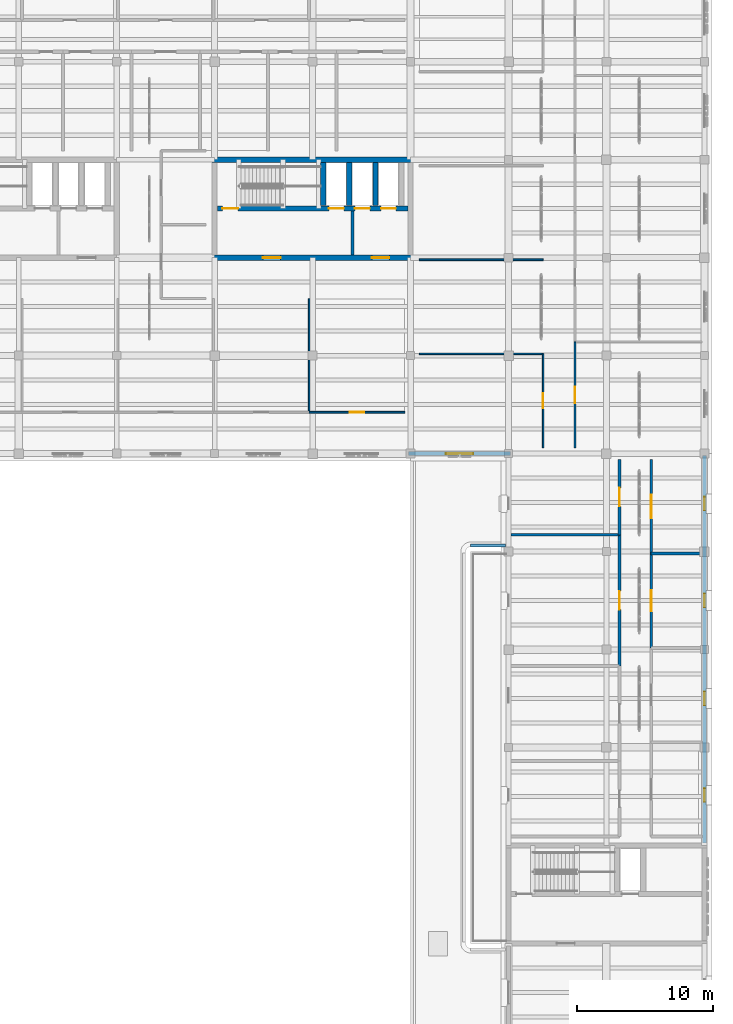
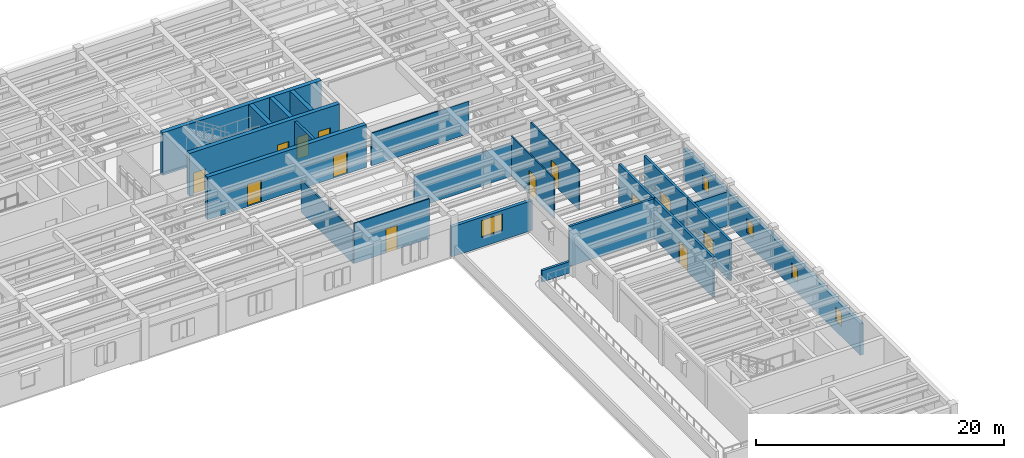
# One storey, part 28 of 40: 22 walls, 13 doors, 5 windows, 18 openings.
"""IFC4 building model written with IfcOpenShell, lengths in metres."""

from ifc_helpers import new_model, si_unit, direction, frame, frame_2d, origin, place, context, subcontext, project, spatial, rectangle, extrude, material, layer, layer_set, type_object, element, fill, save


model = new_model("IFC4")

# Units and contexts
model_context = context("Model", 3, precision=1e-05, world=origin(), true_north=direction((0.0, 1.0)))
body_context = subcontext(model_context, "Body", "Model", "MODEL_VIEW")
ifc_project = project(units=[si_unit("LENGTHUNIT", "METRE"), si_unit("AREAUNIT", "SQUARE_METRE"), si_unit("VOLUMEUNIT", "CUBIC_METRE"), si_unit("PLANEANGLEUNIT", "RADIAN"), si_unit("MASSUNIT", "GRAM", prefix="KILO")], contexts=[model_context])

# Site, building, storey
site_placement = place(None, origin())
site = spatial("IfcSite", under=ifc_project, at=site_placement, CompositionType="ELEMENT")
building_placement = place(site_placement, origin())
building = spatial("IfcBuilding", under=site, at=building_placement, Name="Mithqara Police Headquarters", CompositionType="ELEMENT")
storey_placement = place(building_placement, frame((0.0, 0.0, 13.800048828125)))
storey = spatial("IfcBuildingStorey", under=building, at=storey_placement, Name="L03", CompositionType="ELEMENT", Elevation=13.800048828125)

# Wall
ifc_material_1 = material(Name="Concrete C40/50", Category="concrete")
ifc_layer_1 = layer(ifc_material_1, 0.239990234375, Name="Concrete C40/50")
ifc_layer_set_1 = layer_set([ifc_layer_1], Name="Concrete C40/50")
wall_type_1 = type_object("IfcWallType", Name="CORE LOBBY WALL 240", PredefinedType="SOLIDWALL", material=ifc_layer_set_1)
wall_1_placement = place(storey_placement, frame((140.330078125, 93.18994140625, 0.0), z_axis=(0.0, 0.0, 1.0), x_axis=(0.0, 1.0, 0.0)))
element("IfcWall", 1, at=wall_1_placement, inside=storey, type_object=wall_type_1, Name="Core C2 Command East Firefighting Lobby Separation Wall L03", PredefinedType="SOLIDWALL", context=body_context, shape_type="SweptSolid", body=[
    extrude(rectangle(XDim=3.239990234375, YDim=0.239990234375, at=frame_2d((1.6201171875, 0.0))), origin(), (0.0, 0.0, 1.0), 3.909912109375),
])

# Wall, opening, window
ifc_material_2 = material(Name="Ochre masonry cavity wall, 35 MPa", Category="masonry")
ifc_layer_2 = layer(ifc_material_2, 0.300048828125, Name="Ochre masonry cavity wall, 35 MPa")
ifc_layer_set_2 = layer_set([ifc_layer_2], Name="Ochre masonry cavity wall, 35 MPa")
wall_type_2 = type_object("IfcWallType", Name="EXT WALL OCHRE BRICK300", PredefinedType="SOLIDWALL", material=ifc_layer_set_2)
wall_2_placement = place(storey_placement, frame((144.449951171875, 78.60009765625, 0.0), z_axis=(0.0, 0.0, 1.0), x_axis=(1.0, 0.0, 0.0)))
wall_2 = element("IfcWall", 2, at=wall_2_placement, inside=storey, type_object=wall_type_2, Name="L03 Exterior Wall 7.1", PredefinedType="SOLIDWALL", context=body_context, shape_type="SweptSolid", body=[
    extrude(rectangle(XDim=7.5, YDim=0.300048828125, at=frame_2d((3.75, 0.0))), origin(), (0.0, 0.0, 1.0), 2.93994140625),
])
opening_1_placement = place(wall_2_placement, frame((2.75, 0.0, 0.949951171875)))
opening_1 = element("IfcOpeningElement", 3, at=opening_1_placement, cuts=wall_2, Name="Opening W-37", PredefinedType="OPENING", context=body_context, shape_type="SweptSolid", body=[
    extrude(rectangle(XDim=2.0, YDim=1.64990234375, at=frame_2d((1.0, 0.824951171875))), frame((0.0, 0.16015625, 0.0), z_axis=(0.0, -1.0, 0.0), x_axis=(1.0, 0.0, 0.0)), (0.0, 0.0, 1.0), 0.320068359375),
])
ifc_material_3 = material(Name="Spectrally selective double low-e glass", Category="glass")
window_type_1 = type_object("IfcWindowType", Name="WINDOW 2000X1650", PartitioningType="DOUBLE_PANEL_VERTICAL", PredefinedType="WINDOW", material=ifc_material_3)
window_1_placement = place(opening_1_placement, origin())
window_1 = element("IfcWindow", 4, at=window_1_placement, inside=storey, type_object=window_type_1, Name="L03 Command Block Screened Window 7.1", OverallHeight=1.64990234375, OverallWidth=2.0, PartitioningType="SINGLE_PANEL", PredefinedType="WINDOW", context=body_context, shape_type="SweptSolid", body=[
    extrude(rectangle(XDim=2.0, YDim=1.64990234375, at=frame_2d((1.0, 0.824951171875))), frame((0.0, 0.030029296875, 0.0), z_axis=(0.0, -1.0, 0.0), x_axis=(1.0, 0.0, 0.0)), (0.0, 0.0, 1.0), 0.06005859375),
])
fill(opening_1, window_1)

# Wall, openings, windows
wall_3_placement = place(storey_placement, frame((166.199951171875, 49.989990234375, 0.0), z_axis=(0.0, 0.0, 1.0), x_axis=(0.0, 1.0, 0.0)))
wall_3 = element("IfcWall", 5, at=wall_3_placement, inside=storey, type_object=wall_type_2, Name="L03 Exterior Wall 10.2", PredefinedType="SOLIDWALL", context=body_context, shape_type="SweptSolid", body=[
    extrude(rectangle(XDim=28.4599609375, YDim=0.300048828125, at=frame_2d((14.22998046875, 0.0))), origin(), (0.0, 0.0, 1.0), 3.139892578125),
])
opening_2_placement = place(wall_3_placement, frame((3.0048828125, 0.0, 1.0)))
opening_2 = element("IfcOpeningElement", 6, at=opening_2_placement, cuts=wall_3, Name="Opening W-06", PredefinedType="OPENING", context=body_context, shape_type="SweptSolid", body=[
    extrude(rectangle(XDim=1.0, YDim=1.39990234375, at=frame_2d((0.5, 0.699951171875))), frame((0.0, 0.16015625, 0.0), z_axis=(0.0, -1.0, 0.0), x_axis=(1.0, 0.0, 0.0)), (0.0, 0.0, 1.0), 0.320068359375),
])
opening_3_placement = place(wall_3_placement, frame((10.110107421875, 0.0, 1.0)))
opening_3 = element("IfcOpeningElement", 7, at=opening_3_placement, cuts=wall_3, Name="Opening W-06", PredefinedType="OPENING", context=body_context, shape_type="SweptSolid", body=[
    extrude(rectangle(XDim=1.0, YDim=1.39990234375, at=frame_2d((0.5, 0.699951171875))), frame((0.0, 0.16015625, 0.0), z_axis=(0.0, -1.0, 0.0), x_axis=(1.0, 0.0, 0.0)), (0.0, 0.0, 1.0), 0.320068359375),
])
opening_4_placement = place(wall_3_placement, frame((17.31005859375, 0.0, 1.0)))
opening_4 = element("IfcOpeningElement", 8, at=opening_4_placement, cuts=wall_3, Name="Opening W-06", PredefinedType="OPENING", context=body_context, shape_type="SweptSolid", body=[
    extrude(rectangle(XDim=1.0, YDim=1.39990234375, at=frame_2d((0.5, 0.699951171875))), frame((0.0, 0.16015625, 0.0), z_axis=(0.0, -1.0, 0.0), x_axis=(1.0, 0.0, 0.0)), (0.0, 0.0, 1.0), 0.320068359375),
])
opening_5_placement = place(wall_3_placement, frame((24.43505859375, 0.0, 1.0)))
opening_5 = element("IfcOpeningElement", 9, at=opening_5_placement, cuts=wall_3, Name="Opening W-06", PredefinedType="OPENING", context=body_context, shape_type="SweptSolid", body=[
    extrude(rectangle(XDim=1.0, YDim=1.39990234375, at=frame_2d((0.5, 0.699951171875))), frame((0.0, 0.16015625, 0.0), z_axis=(0.0, -1.0, 0.0), x_axis=(1.0, 0.0, 0.0)), (0.0, 0.0, 1.0), 0.320068359375),
])
window_type_2 = type_object("IfcWindowType", Name="WINDOW 1000X1400", PartitioningType="SINGLE_PANEL", PredefinedType="WINDOW", material=ifc_material_3)
window_2_placement = place(opening_2_placement, origin())
window_2 = element("IfcWindow", 10, at=window_2_placement, inside=storey, type_object=window_type_2, Name="L03 Deep-Set Punched Window 10.1", OverallHeight=1.39990234375, OverallWidth=1.0, PartitioningType="SINGLE_PANEL", PredefinedType="WINDOW", context=body_context, shape_type="SweptSolid", body=[
    extrude(rectangle(XDim=1.0, YDim=1.39990234375, at=frame_2d((0.5, 0.699951171875))), frame((0.0, 0.030029296875, 0.0), z_axis=(0.0, -1.0, 0.0), x_axis=(1.0, 0.0, 0.0)), (0.0, 0.0, 1.0), 0.06005859375),
])
fill(opening_2, window_2)
window_3_placement = place(opening_3_placement, origin())
window_3 = element("IfcWindow", 11, at=window_3_placement, inside=storey, type_object=window_type_2, Name="L03 Deep-Set Punched Window 10.2", OverallHeight=1.39990234375, OverallWidth=1.0, PartitioningType="SINGLE_PANEL", PredefinedType="WINDOW", context=body_context, shape_type="SweptSolid", body=[
    extrude(rectangle(XDim=1.0, YDim=1.39990234375, at=frame_2d((0.5, 0.699951171875))), frame((0.0, 0.030029296875, 0.0), z_axis=(0.0, -1.0, 0.0), x_axis=(1.0, 0.0, 0.0)), (0.0, 0.0, 1.0), 0.06005859375),
])
fill(opening_3, window_3)
window_4_placement = place(opening_4_placement, origin())
window_4 = element("IfcWindow", 12, at=window_4_placement, inside=storey, type_object=window_type_2, Name="L03 Deep-Set Punched Window 10.3", OverallHeight=1.39990234375, OverallWidth=1.0, PartitioningType="SINGLE_PANEL", PredefinedType="WINDOW", context=body_context, shape_type="SweptSolid", body=[
    extrude(rectangle(XDim=1.0, YDim=1.39990234375, at=frame_2d((0.5, 0.699951171875))), frame((0.0, 0.030029296875, 0.0), z_axis=(0.0, -1.0, 0.0), x_axis=(1.0, 0.0, 0.0)), (0.0, 0.0, 1.0), 0.06005859375),
])
fill(opening_4, window_4)
window_5_placement = place(opening_5_placement, origin())
window_5 = element("IfcWindow", 13, at=window_5_placement, inside=storey, type_object=window_type_2, Name="L03 Deep-Set Punched Window 10.4", OverallHeight=1.39990234375, OverallWidth=1.0, PartitioningType="SINGLE_PANEL", PredefinedType="WINDOW", context=body_context, shape_type="SweptSolid", body=[
    extrude(rectangle(XDim=1.0, YDim=1.39990234375, at=frame_2d((0.5, 0.699951171875))), frame((0.0, 0.030029296875, 0.0), z_axis=(0.0, -1.0, 0.0), x_axis=(1.0, 0.0, 0.0)), (0.0, 0.0, 1.0), 0.06005859375),
])
fill(opening_5, window_5)

# Walls
ifc_material_4 = material(Name="Limestone ashlar masonry, 45 MPa", Category="masonry")
ifc_layer_3 = layer(ifc_material_4, 0.219970703125, Name="Limestone ashlar masonry, 45 MPa")
ifc_layer_set_3 = layer_set([ifc_layer_3], Name="Limestone ashlar masonry, 45 MPa")
wall_type_3 = type_object("IfcWallType", Name="PARAPET WALL 220", PredefinedType="PARAPET", material=ifc_layer_set_3)
wall_4_placement = place(storey_placement, frame((151.580078125, 71.860107421875, 0.0), z_axis=(0.0, 0.0, 1.0), x_axis=(-1.0, 0.0, 0.0)))
element("IfcWall", 14, at=wall_4_placement, inside=storey, type_object=wall_type_3, Name="L03 Limestone Roof Parapet ROOF-L02-00-157", PredefinedType="PARAPET", context=body_context, shape_type="SweptSolid", body=[
    extrude(rectangle(XDim=2.580078125, YDim=0.219970703125, at=frame_2d((1.2900390625, 0.0))), origin(), (0.0, 0.0, 1.0), 1.119873046875),
])
ifc_material_5 = material(Name="Gypsum acoustic stud partition", Category="gypsum")
ifc_layer_4 = layer(ifc_material_5, 0.1201171875, Name="Gypsum acoustic stud partition")
ifc_layer_set_4 = layer_set([ifc_layer_4], Name="Gypsum acoustic stud partition")
wall_type_4 = type_object("IfcWallType", Name="PART WALL 120", PredefinedType="PARTITIONING", material=ifc_layer_set_4)
wall_5_placement = place(storey_placement, frame((137.14794921875, 81.639892578125, 0.0), z_axis=(0.0, 0.0, 1.0), x_axis=(0.0, 1.0, 0.0)))
element("IfcWall", 15, at=wall_5_placement, inside=storey, type_object=wall_type_4, Name="L03 Room Partition Criminal Records Verification Room", PredefinedType="PARTITIONING", context=body_context, shape_type="SweptSolid", body=[
    extrude(rectangle(XDim=8.360107421875, YDim=0.1201171875, at=frame_2d((4.18017578125, 0.0))), origin(), (0.0, 0.0, 1.0), 3.18994140625),
])

# Wall, opening, door
wall_6_placement = place(storey_placement, frame((137.14794921875, 81.639892578125, 0.0), z_axis=(0.0, 0.0, 1.0), x_axis=(1.0, 0.0, 0.0)))
wall_6 = element("IfcWall", 16, at=wall_6_placement, inside=storey, type_object=wall_type_4, Name="L03 Corridor Wall Warrants and Records Office", PredefinedType="PARTITIONING", context=body_context, shape_type="SweptSolid", body=[
    extrude(rectangle(XDim=7.031982421875, YDim=0.1201171875, at=frame_2d((3.51611328125, 0.0))), origin(), (0.0, 0.0, 1.0), 3.93994140625),
])
opening_6_placement = place(wall_6_placement, frame((2.99609375, 0.0, 0.0)))
opening_6 = element("IfcOpeningElement", 17, at=opening_6_placement, cuts=wall_6, Name="Opening D-09", PredefinedType="OPENING", context=body_context, shape_type="SweptSolid", body=[
    extrude(rectangle(XDim=1.0400390625, YDim=2.35009765625, at=frame_2d((0.52001953125, 1.175048828125))), frame((0.0, 0.070068359375, 0.0), z_axis=(0.0, -1.0, 0.0), x_axis=(1.0, 0.0, 0.0)), (0.0, 0.0, 1.0), 0.14013671875),
])
ifc_material_6 = material(Name="Acoustic solid-core timber leaf", Category="wood")
door_type_1 = type_object("IfcDoorType", Name="INT DOOR 1040X2350", OperationType="NOTDEFINED", PredefinedType="DOOR", material=ifc_material_6)
door_1_placement = place(opening_6_placement, origin())
door_1 = element("IfcDoor", 18, at=door_1_placement, inside=storey, type_object=door_type_1, Name="Warrants and Records Office Entry Door", OperationType="SINGLE_SWING_RIGHT", OverallHeight=2.35009765625, OverallWidth=1.0400390625, PredefinedType="DOOR", context=body_context, shape_type="SweptSolid", body=[
    extrude(rectangle(XDim=1.0400390625, YDim=2.35009765625, at=frame_2d((0.52001953125, 1.175048828125))), frame((0.0, 0.02490234375, 0.0), z_axis=(0.0, -1.0, 0.0), x_axis=(1.0, 0.0, 0.0)), (0.0, 0.0, 1.0), 0.050048828125),
])
fill(opening_6, door_1)

wall_7_placement = place(storey_placement, frame((154.344970703125, 79.02001953125, 0.0), z_axis=(0.0, 0.0, 1.0), x_axis=(0.0, 1.0, 0.0)))
wall_7 = element("IfcWall", 19, at=wall_7_placement, inside=storey, type_object=wall_type_4, Name="L03 Corridor Wall Academy Instruction Office", PredefinedType="PARTITIONING", context=body_context, shape_type="SweptSolid", body=[
    extrude(rectangle(XDim=6.911865234375, YDim=0.1201171875, at=frame_2d((3.4560546875, 0.0))), origin(), (0.0, 0.0, 1.0), 3.93994140625),
])
opening_7_placement = place(wall_7_placement, frame((2.906005859375, 0.0, 0.0)))
opening_7 = element("IfcOpeningElement", 20, at=opening_7_placement, cuts=wall_7, Name="Opening D-12", PredefinedType="OPENING", context=body_context, shape_type="SweptSolid", body=[
    extrude(rectangle(XDim=1.10009765625, YDim=2.35009765625, at=frame_2d((0.550048828125, 1.175048828125))), frame((0.0, 0.070068359375, 0.0), z_axis=(0.0, -1.0, 0.0), x_axis=(1.0, 0.0, 0.0)), (0.0, 0.0, 1.0), 0.14013671875),
])
door_type_2 = type_object("IfcDoorType", Name="INT DOOR 1100X2350", OperationType="NOTDEFINED", PredefinedType="DOOR", material=ifc_material_6)
door_2_placement = place(opening_7_placement, frame((1.10009765625, 0.0, 0.0), z_axis=(0.0, 0.0, 1.0), x_axis=(-1.0, 0.0, 0.0)))
door_2 = element("IfcDoor", 21, at=door_2_placement, inside=storey, type_object=door_type_2, Name="Academy Instruction Office Entry Door", OperationType="SINGLE_SWING_LEFT", OverallHeight=2.35009765625, OverallWidth=1.10009765625, PredefinedType="DOOR", context=body_context, shape_type="SweptSolid", body=[
    extrude(rectangle(XDim=1.10009765625, YDim=2.35009765625, at=frame_2d((0.550048828125, 1.175048828125))), frame((0.0, 0.02490234375, 0.0), z_axis=(0.0, -1.0, 0.0), x_axis=(1.0, 0.0, 0.0)), (0.0, 0.0, 1.0), 0.050048828125),
])
fill(opening_7, door_2)

# Walls
wall_8_placement = place(storey_placement, frame((145.25, 85.931884765625, 0.0), z_axis=(0.0, 0.0, 1.0), x_axis=(1.0, 0.0, 0.0)))
element("IfcWall", 22, at=wall_8_placement, inside=storey, type_object=wall_type_4, Name="L03 Room Partition Academy Instruction Office", PredefinedType="PARTITIONING", context=body_context, shape_type="SweptSolid", body=[
    extrude(rectangle(XDim=9.094970703125, YDim=0.1201171875, at=frame_2d((4.54736328125, 0.0))), origin(), (0.0, 0.0, 1.0), 3.2900390625),
])
wall_9_placement = place(storey_placement, frame((145.25, 92.843994140625, 0.0), z_axis=(0.0, 0.0, 1.0), x_axis=(1.0, 0.0, 0.0)))
element("IfcWall", 23, at=wall_9_placement, inside=storey, type_object=wall_type_4, Name="L03 Room Partition Examinations Room", PredefinedType="PARTITIONING", context=body_context, shape_type="SweptSolid", body=[
    extrude(rectangle(XDim=9.094970703125, YDim=0.1201171875, at=frame_2d((4.54736328125, 0.0))), origin(), (0.0, 0.0, 1.0), 3.18994140625),
])

# Wall, opening, door
wall_10_placement = place(storey_placement, frame((156.68505859375, 79.02001953125, 0.0), z_axis=(0.0, 0.0, 1.0), x_axis=(0.0, 1.0, 0.0)))
wall_10 = element("IfcWall", 24, at=wall_10_placement, inside=storey, type_object=wall_type_4, Name="L03 Corridor Wall Academy Instruction Office", PredefinedType="PARTITIONING", context=body_context, shape_type="SweptSolid", body=[
    extrude(rectangle(XDim=7.7900390625, YDim=0.1201171875, at=frame_2d((3.89501953125, 0.0))), origin(), (0.0, 0.0, 1.0), 3.93994140625),
])
opening_8_placement = place(wall_10_placement, frame((3.284912109375, 0.0, 0.0)))
opening_8 = element("IfcOpeningElement", 25, at=opening_8_placement, cuts=wall_10, Name="Opening D-14", PredefinedType="OPENING", context=body_context, shape_type="SweptSolid", body=[
    extrude(rectangle(XDim=1.219970703125, YDim=2.219970703125, at=frame_2d((0.60986328125, 1.10986328125))), frame((0.0, 0.070068359375, 0.0), z_axis=(0.0, -1.0, 0.0), x_axis=(1.0, 0.0, 0.0)), (0.0, 0.0, 1.0), 0.14013671875),
])
door_type_3 = type_object("IfcDoorType", Name="INT DOOR 1220X2220", OperationType="NOTDEFINED", PredefinedType="DOOR", material=ifc_material_6)
door_3_placement = place(opening_8_placement, origin())
door_3 = element("IfcDoor", 26, at=door_3_placement, inside=storey, type_object=door_type_3, Name="Academy Instruction Office Entry Door", OperationType="SINGLE_SWING_LEFT", OverallHeight=2.219970703125, OverallWidth=1.219970703125, PredefinedType="DOOR", context=body_context, shape_type="SweptSolid", body=[
    extrude(rectangle(XDim=1.219970703125, YDim=2.219970703125, at=frame_2d((0.60986328125, 1.10986328125))), frame((0.0, 0.02490234375, 0.0), z_axis=(0.0, -1.0, 0.0), x_axis=(1.0, 0.0, 0.0)), (0.0, 0.0, 1.0), 0.050048828125),
])
fill(opening_8, door_3)

ifc_layer_5 = layer(ifc_material_1, 0.2099609375, Name="Concrete C40/50")
ifc_layer_set_5 = layer_set([ifc_layer_5], Name="Concrete C40/50")
wall_type_5 = type_object("IfcWallType", Name="PART WALL 210", PredefinedType="PARTITIONING", material=ifc_layer_set_5)
wall_11_placement = place(storey_placement, frame((159.949951171875, 62.991943359375, 0.0), z_axis=(0.0, 0.0, 1.0), x_axis=(0.0, 1.0, 0.0)))
wall_11 = element("IfcWall", 27, at=wall_11_placement, inside=storey, type_object=wall_type_5, Name="L03 Corridor Wall Mobile Device Extraction Lab", PredefinedType="PARTITIONING", context=body_context, shape_type="SweptSolid", body=[
    extrude(rectangle(XDim=9.64208984375, YDim=0.2099609375, at=frame_2d((4.821044921875, 0.0))), origin(), (0.0, 0.0, 1.0), 3.93994140625),
])
opening_9_placement = place(wall_11_placement, frame((4.14111328125, 0.0, 0.0)))
opening_9 = element("IfcOpeningElement", 28, at=opening_9_placement, cuts=wall_11, Name="Opening D-17", PredefinedType="OPENING", context=body_context, shape_type="SweptSolid", body=[
    extrude(rectangle(XDim=1.360107421875, YDim=2.219970703125, at=frame_2d((0.68017578125, 1.10986328125))), frame((0.0, 0.114990234375, 0.0), z_axis=(0.0, -1.0, 0.0), x_axis=(1.0, 0.0, 0.0)), (0.0, 0.0, 1.0), 0.22998046875),
])
ifc_material_7 = material(Name="Bronze anodised aluminium 6063-T6", Category="aluminium")
door_type_4 = type_object("IfcDoorType", Name="INT DOOR 1360X2220", OperationType="NOTDEFINED", PredefinedType="DOOR", material=ifc_material_7)
door_4_placement = place(opening_9_placement, frame((1.360107421875, 0.0, 0.0), z_axis=(0.0, 0.0, 1.0), x_axis=(-1.0, 0.0, 0.0)))
door_4 = element("IfcDoor", 29, at=door_4_placement, inside=storey, type_object=door_type_4, Name="Mobile Device Extraction Lab Entry Door", OperationType="SINGLE_SWING_RIGHT", OverallHeight=2.219970703125, OverallWidth=1.360107421875, PredefinedType="DOOR", context=body_context, shape_type="SweptSolid", body=[
    extrude(rectangle(XDim=1.360107421875, YDim=2.219970703125, at=frame_2d((0.68017578125, 1.10986328125))), frame((0.0, 0.02490234375, 0.0), z_axis=(0.0, -1.0, 0.0), x_axis=(1.0, 0.0, 0.0)), (0.0, 0.0, 1.0), 0.050048828125),
])
fill(opening_9, door_4)

# Wall
wall_12_placement = place(storey_placement, frame((151.97998046875, 72.634033203125, 0.0), z_axis=(0.0, 0.0, 1.0), x_axis=(1.0, 0.0, 0.0)))
element("IfcWall", 30, at=wall_12_placement, inside=storey, type_object=wall_type_5, Name="L03 Room Partition Mobile Device Extraction Lab", PredefinedType="PARTITIONING", context=body_context, shape_type="SweptSolid", body=[
    extrude(rectangle(XDim=7.969970703125, YDim=0.2099609375, at=frame_2d((3.98486328125, 0.0))), origin(), (0.0, 0.0, 1.0), 3.93994140625),
])

# Wall, opening, door
wall_13_placement = place(storey_placement, frame((159.949951171875, 72.634033203125, 0.0), z_axis=(0.0, 0.0, 1.0), x_axis=(0.0, 1.0, 0.0)))
wall_13 = element("IfcWall", 31, at=wall_13_placement, inside=storey, type_object=wall_type_5, Name="L03 Corridor Wall Faraday Shielded Server Lab", PredefinedType="PARTITIONING", context=body_context, shape_type="SweptSolid", body=[
    extrude(rectangle(XDim=5.5458984375, YDim=0.2099609375, at=frame_2d((2.77294921875, 0.0))), origin(), (0.0, 0.0, 1.0), 3.93994140625),
])
opening_10_placement = place(wall_13_placement, frame((2.093017578125, 0.0, 0.0)))
opening_10 = element("IfcOpeningElement", 32, at=opening_10_placement, cuts=wall_13, Name="Opening D-18", PredefinedType="OPENING", context=body_context, shape_type="SweptSolid", body=[
    extrude(rectangle(XDim=1.360107421875, YDim=2.35009765625, at=frame_2d((0.68017578125, 1.175048828125))), frame((0.0, 0.114990234375, 0.0), z_axis=(0.0, -1.0, 0.0), x_axis=(1.0, 0.0, 0.0)), (0.0, 0.0, 1.0), 0.22998046875),
])
door_type_5 = type_object("IfcDoorType", Name="INT DOOR 1360X2350", OperationType="NOTDEFINED", PredefinedType="DOOR", material=ifc_material_7)
door_5_placement = place(opening_10_placement, frame((1.360107421875, 0.0, 0.0), z_axis=(0.0, 0.0, 1.0), x_axis=(-1.0, 0.0, 0.0)))
door_5 = element("IfcDoor", 33, at=door_5_placement, inside=storey, type_object=door_type_5, Name="Faraday Shielded Server Lab Entry Door", OperationType="SINGLE_SWING_LEFT", OverallHeight=2.35009765625, OverallWidth=1.360107421875, PredefinedType="DOOR", context=body_context, shape_type="SweptSolid", body=[
    extrude(rectangle(XDim=1.360107421875, YDim=2.35009765625, at=frame_2d((0.68017578125, 1.175048828125))), frame((0.0, 0.02490234375, 0.0), z_axis=(0.0, -1.0, 0.0), x_axis=(1.0, 0.0, 0.0)), (0.0, 0.0, 1.0), 0.050048828125),
])
fill(opening_10, door_5)

wall_14_placement = place(storey_placement, frame((162.2900390625, 64.31494140625, 0.0), z_axis=(0.0, 0.0, 1.0), x_axis=(0.0, 1.0, 0.0)))
wall_14 = element("IfcWall", 34, at=wall_14_placement, inside=storey, type_object=wall_type_5, Name="L03 Corridor Wall Mobile Device Extraction Lab", PredefinedType="PARTITIONING", context=body_context, shape_type="SweptSolid", body=[
    extrude(rectangle(XDim=6.93310546875, YDim=0.2099609375, at=frame_2d((3.466552734375, 0.0))), origin(), (0.0, 0.0, 1.0), 3.93994140625),
])
opening_11_placement = place(wall_14_placement, frame((2.70654296875, 0.0, 0.0)))
opening_11 = element("IfcOpeningElement", 35, at=opening_11_placement, cuts=wall_14, Name="Opening D-21", PredefinedType="OPENING", context=body_context, shape_type="SweptSolid", body=[
    extrude(rectangle(XDim=1.52001953125, YDim=2.35009765625, at=frame_2d((0.760009765625, 1.175048828125))), frame((0.0, 0.114990234375, 0.0), z_axis=(0.0, -1.0, 0.0), x_axis=(1.0, 0.0, 0.0)), (0.0, 0.0, 1.0), 0.22998046875),
])
door_type_6 = type_object("IfcDoorType", Name="INT DOOR 1520X2350", OperationType="NOTDEFINED", PredefinedType="DOOR", material=ifc_material_7)
door_6_placement = place(opening_11_placement, origin())
door_6 = element("IfcDoor", 36, at=door_6_placement, inside=storey, type_object=door_type_6, Name="Mobile Device Extraction Lab Entry Door", OperationType="DOUBLE_DOOR_SINGLE_SWING", OverallHeight=2.35009765625, OverallWidth=1.52001953125, PredefinedType="DOOR", context=body_context, shape_type="SweptSolid", body=[
    extrude(rectangle(XDim=1.52001953125, YDim=2.35009765625, at=frame_2d((0.760009765625, 1.175048828125))), frame((0.0, 0.02490234375, 0.0), z_axis=(0.0, -1.0, 0.0), x_axis=(1.0, 0.0, 0.0)), (0.0, 0.0, 1.0), 0.050048828125),
])
fill(opening_11, door_6)

# Wall
wall_15_placement = place(storey_placement, frame((162.2900390625, 71.248046875, 0.0), z_axis=(0.0, 0.0, 1.0), x_axis=(1.0, 0.0, 0.0)))
element("IfcWall", 37, at=wall_15_placement, inside=storey, type_object=wall_type_5, Name="L03 Room Partition Mobile Device Extraction Lab", PredefinedType="PARTITIONING", context=body_context, shape_type="SweptSolid", body=[
    extrude(rectangle(XDim=3.72998046875, YDim=0.2099609375, at=frame_2d((1.864990234375, 0.0))), origin(), (0.0, 0.0, 1.0), 3.33984375),
])

# Wall, opening, door
wall_16_placement = place(storey_placement, frame((162.2900390625, 71.248046875, 0.0), z_axis=(0.0, 0.0, 1.0), x_axis=(0.0, 1.0, 0.0)))
wall_16 = element("IfcWall", 38, at=wall_16_placement, inside=storey, type_object=wall_type_5, Name="L03 Corridor Wall Faraday Shielded Server Lab", PredefinedType="PARTITIONING", context=body_context, shape_type="SweptSolid", body=[
    extrude(rectangle(XDim=6.931884765625, YDim=0.2099609375, at=frame_2d((3.4658203125, 0.0))), origin(), (0.0, 0.0, 1.0), 3.93994140625),
])
opening_12_placement = place(wall_16_placement, frame((2.60595703125, 0.0, 0.0)))
opening_12 = element("IfcOpeningElement", 39, at=opening_12_placement, cuts=wall_16, Name="Opening D-22", PredefinedType="OPENING", context=body_context, shape_type="SweptSolid", body=[
    extrude(rectangle(XDim=1.719970703125, YDim=2.10009765625, at=frame_2d((0.85986328125, 1.050048828125))), frame((0.0, 0.114990234375, 0.0), z_axis=(0.0, -1.0, 0.0), x_axis=(1.0, 0.0, 0.0)), (0.0, 0.0, 1.0), 0.22998046875),
])
door_type_7 = type_object("IfcDoorType", Name="INT DOOR 1720X2100", OperationType="NOTDEFINED", PredefinedType="DOOR", material=ifc_material_7)
door_7_placement = place(opening_12_placement, origin())
door_7 = element("IfcDoor", 40, at=door_7_placement, inside=storey, type_object=door_type_7, Name="Faraday Shielded Server Lab Entry Door", OperationType="DOUBLE_DOOR_SINGLE_SWING", OverallHeight=2.10009765625, OverallWidth=1.719970703125, PredefinedType="DOOR", context=body_context, shape_type="SweptSolid", body=[
    extrude(rectangle(XDim=1.719970703125, YDim=2.10009765625, at=frame_2d((0.85986328125, 1.050048828125))), frame((0.0, 0.02490234375, 0.0), z_axis=(0.0, -1.0, 0.0), x_axis=(1.0, 0.0, 0.0)), (0.0, 0.0, 1.0), 0.050048828125),
])
fill(opening_12, door_7)

# Wall
ifc_material_8 = material(Name="Concrete C50/60", Category="concrete")
ifc_layer_6 = layer(ifc_material_8, 0.3798828125, Name="Concrete C50/60")
ifc_layer_set_6 = layer_set([ifc_layer_6], Name="Concrete C50/60")
wall_type_6 = type_object("IfcWallType", Name="SHEAR WALL 380", PredefinedType="SHEAR", material=ifc_layer_set_6)
wall_17_placement = place(storey_placement, frame((130.010009765625, 100.199951171875, 0.0), z_axis=(0.0, 0.0, 1.0), x_axis=(1.0, 0.0, 0.0)))
element("IfcWall", 41, at=wall_17_placement, inside=storey, type_object=wall_type_6, Name="Core C2 Command East Shear Wall N", PredefinedType="SHEAR", context=body_context, shape_type="SweptSolid", body=[
    extrude(rectangle(XDim=14.780029296875, YDim=0.3798828125, at=frame_2d((7.39013671875, 0.0))), origin(), (0.0, 0.0, 1.0), 4.199951171875),
])

# Wall, openings, doors
wall_18_placement = place(storey_placement, frame((130.010009765625, 93.0, 0.0), z_axis=(0.0, 0.0, 1.0), x_axis=(1.0, 0.0, 0.0)))
wall_18 = element("IfcWall", 42, at=wall_18_placement, inside=storey, type_object=wall_type_6, Name="Core C2 Command East Shear Wall S", PredefinedType="SHEAR", context=body_context, shape_type="SweptSolid", body=[
    extrude(rectangle(XDim=14.780029296875, YDim=0.3798828125, at=frame_2d((7.39013671875, 0.0))), origin(), (0.0, 0.0, 1.0), 4.199951171875),
])
opening_13_placement = place(wall_18_placement, frame((3.739990234375, 0.0, 0.0)))
opening_13 = element("IfcOpeningElement", 43, at=opening_13_placement, cuts=wall_18, Name="Opening FD-02", PredefinedType="OPENING", context=body_context, shape_type="SweptSolid", body=[
    extrude(rectangle(XDim=1.300048828125, YDim=2.199951171875, at=frame_2d((0.64990234375, 1.10009765625))), frame((0.0, 0.199951171875, 0.0), z_axis=(0.0, -1.0, 0.0), x_axis=(1.0, 0.0, 0.0)), (0.0, 0.0, 1.0), 0.39990234375),
])
opening_14_placement = place(wall_18_placement, frame((11.739990234375, 0.0, 0.0)))
opening_14 = element("IfcOpeningElement", 44, at=opening_14_placement, cuts=wall_18, Name="Opening FD-02", PredefinedType="OPENING", context=body_context, shape_type="SweptSolid", body=[
    extrude(rectangle(XDim=1.300048828125, YDim=2.199951171875, at=frame_2d((0.64990234375, 1.10009765625))), frame((0.0, 0.199951171875, 0.0), z_axis=(0.0, -1.0, 0.0), x_axis=(1.0, 0.0, 0.0)), (0.0, 0.0, 1.0), 0.39990234375),
])
ifc_material_9 = material(Name="Steel S355JR", Category="steel")
door_type_8 = type_object("IfcDoorType", Name="CORE DOOR LOBBY 1300X2200", OperationType="NOTDEFINED", PredefinedType="DOOR", material=ifc_material_9)
door_8_placement = place(opening_13_placement, frame((1.300048828125, 0.0, 0.0), z_axis=(0.0, 0.0, 1.0), x_axis=(-1.0, 0.0, 0.0)))
door_8 = element("IfcDoor", 45, at=door_8_placement, inside=storey, type_object=door_type_8, Name="Core C2 Command East FF Lobby Fire Door L03", OperationType="SINGLE_SWING_LEFT", OverallHeight=2.199951171875, OverallWidth=1.300048828125, PredefinedType="DOOR", context=body_context, shape_type="SweptSolid", body=[
    extrude(rectangle(XDim=1.300048828125, YDim=2.199951171875, at=frame_2d((0.64990234375, 1.10009765625))), frame((0.0, 0.02490234375, 0.0), z_axis=(0.0, -1.0, 0.0), x_axis=(1.0, 0.0, 0.0)), (0.0, 0.0, 1.0), 0.050048828125),
])
fill(opening_13, door_8)
door_9_placement = place(opening_14_placement, frame((1.300048828125, 0.0, 0.0), z_axis=(0.0, 0.0, 1.0), x_axis=(-1.0, 0.0, 0.0)))
door_9 = element("IfcDoor", 46, at=door_9_placement, inside=storey, type_object=door_type_8, Name="Core C2 Command East PA Lobby Fire Door L03", OperationType="SINGLE_SWING_RIGHT", OverallHeight=2.199951171875, OverallWidth=1.300048828125, PredefinedType="DOOR", context=body_context, shape_type="SweptSolid", body=[
    extrude(rectangle(XDim=1.300048828125, YDim=2.199951171875, at=frame_2d((0.64990234375, 1.10009765625))), frame((0.0, 0.02490234375, 0.0), z_axis=(0.0, -1.0, 0.0), x_axis=(1.0, 0.0, 0.0)), (0.0, 0.0, 1.0), 0.050048828125),
])
fill(opening_14, door_9)

wall_19_placement = place(storey_placement, frame((130.39990234375, 96.6201171875, 0.0), z_axis=(0.0, 0.0, 1.0), x_axis=(1.0, 0.0, 0.0)))
wall_19 = element("IfcWall", 47, at=wall_19_placement, inside=storey, type_object=wall_type_6, Name="Core C2 Command East Shear Wall M", PredefinedType="SHEAR", context=body_context, shape_type="SweptSolid", body=[
    extrude(rectangle(XDim=14.0, YDim=0.3798828125, at=frame_2d((7.0, 0.0))), origin(), (0.0, 0.0, 1.0), 4.199951171875),
])
opening_15_placement = place(wall_19_placement, frame((8.18994140625, 0.0, 0.0)))
opening_15 = element("IfcOpeningElement", 48, at=opening_15_placement, cuts=wall_19, Name="Opening LD-01", PredefinedType="OPENING", context=body_context, shape_type="SweptSolid", body=[
    extrude(rectangle(XDim=1.10009765625, YDim=2.14990234375, at=frame_2d((0.550048828125, 1.074951171875))), frame((0.0, 0.199951171875, 0.0), z_axis=(0.0, -1.0, 0.0), x_axis=(1.0, 0.0, 0.0)), (0.0, 0.0, 1.0), 0.39990234375),
])
opening_16_placement = place(wall_19_placement, frame((10.110107421875, 0.0, 0.0)))
opening_16 = element("IfcOpeningElement", 49, at=opening_16_placement, cuts=wall_19, Name="Opening LD-01", PredefinedType="OPENING", context=body_context, shape_type="SweptSolid", body=[
    extrude(rectangle(XDim=1.10009765625, YDim=2.14990234375, at=frame_2d((0.550048828125, 1.074951171875))), frame((0.0, 0.199951171875, 0.0), z_axis=(0.0, -1.0, 0.0), x_axis=(1.0, 0.0, 0.0)), (0.0, 0.0, 1.0), 0.39990234375),
])
opening_17_placement = place(wall_19_placement, frame((12.030029296875, 0.0, 0.0)))
opening_17 = element("IfcOpeningElement", 50, at=opening_17_placement, cuts=wall_19, Name="Opening LD-01", PredefinedType="OPENING", context=body_context, shape_type="SweptSolid", body=[
    extrude(rectangle(XDim=1.10009765625, YDim=2.14990234375, at=frame_2d((0.550048828125, 1.074951171875))), frame((0.0, 0.199951171875, 0.0), z_axis=(0.0, -1.0, 0.0), x_axis=(1.0, 0.0, 0.0)), (0.0, 0.0, 1.0), 0.39990234375),
])
opening_18_placement = place(wall_19_placement, frame((0.375, 0.0, 0.0)))
opening_18 = element("IfcOpeningElement", 51, at=opening_18_placement, cuts=wall_19, Name="Opening FD-01", PredefinedType="OPENING", context=body_context, shape_type="SweptSolid", body=[
    extrude(rectangle(XDim=1.14990234375, YDim=2.14990234375, at=frame_2d((0.574951171875, 1.074951171875))), frame((0.0, 0.199951171875, 0.0), z_axis=(0.0, -1.0, 0.0), x_axis=(1.0, 0.0, 0.0)), (0.0, 0.0, 1.0), 0.39990234375),
])
door_type_9 = type_object("IfcDoorType", Name="CORE DOOR STAIR 1150X2150", OperationType="NOTDEFINED", PredefinedType="DOOR", material=ifc_material_9)
door_10_placement = place(opening_18_placement, origin())
door_10 = element("IfcDoor", 52, at=door_10_placement, inside=storey, type_object=door_type_9, Name="Stair ST-02 Fire Door L03", OperationType="SINGLE_SWING_LEFT", OverallHeight=2.14990234375, OverallWidth=1.14990234375, PredefinedType="DOOR", context=body_context, shape_type="SweptSolid", body=[
    extrude(rectangle(XDim=1.14990234375, YDim=2.14990234375, at=frame_2d((0.574951171875, 1.074951171875))), frame((0.0, 0.02490234375, 0.0), z_axis=(0.0, -1.0, 0.0), x_axis=(1.0, 0.0, 0.0)), (0.0, 0.0, 1.0), 0.050048828125),
])
fill(opening_18, door_10)
door_type_10 = type_object("IfcDoorType", Name="LIFT DOOR 1100X2150", OperationType="DOUBLE_DOOR_SLIDING", PredefinedType="DOOR", material=ifc_material_9)
door_11_placement = place(opening_15_placement, frame((1.10009765625, 0.0, 0.0), z_axis=(0.0, 0.0, 1.0), x_axis=(-1.0, 0.0, 0.0)))
door_11 = element("IfcDoor", 53, at=door_11_placement, inside=storey, type_object=door_type_10, Name="Lift Landing Door FL-02-L03", OperationType="DOUBLE_DOOR_SLIDING", OverallHeight=2.14990234375, OverallWidth=1.10009765625, PredefinedType="DOOR", context=body_context, shape_type="SweptSolid", body=[
    extrude(rectangle(XDim=1.10009765625, YDim=2.14990234375, at=frame_2d((0.550048828125, 1.074951171875))), frame((0.0, 0.02490234375, 0.0), z_axis=(0.0, -1.0, 0.0), x_axis=(1.0, 0.0, 0.0)), (0.0, 0.0, 1.0), 0.050048828125),
])
fill(opening_15, door_11)
door_12_placement = place(opening_16_placement, frame((1.10009765625, 0.0, 0.0), z_axis=(0.0, 0.0, 1.0), x_axis=(-1.0, 0.0, 0.0)))
door_12 = element("IfcDoor", 54, at=door_12_placement, inside=storey, type_object=door_type_10, Name="Lift Landing Door LP-03-L03", OperationType="DOUBLE_DOOR_SLIDING", OverallHeight=2.14990234375, OverallWidth=1.10009765625, PredefinedType="DOOR", context=body_context, shape_type="SweptSolid", body=[
    extrude(rectangle(XDim=1.10009765625, YDim=2.14990234375, at=frame_2d((0.550048828125, 1.074951171875))), frame((0.0, 0.02490234375, 0.0), z_axis=(0.0, -1.0, 0.0), x_axis=(1.0, 0.0, 0.0)), (0.0, 0.0, 1.0), 0.050048828125),
])
fill(opening_16, door_12)
door_13_placement = place(opening_17_placement, frame((1.10009765625, 0.0, 0.0), z_axis=(0.0, 0.0, 1.0), x_axis=(-1.0, 0.0, 0.0)))
door_13 = element("IfcDoor", 55, at=door_13_placement, inside=storey, type_object=door_type_10, Name="Lift Landing Door LP-04-L03", OperationType="DOUBLE_DOOR_SLIDING", OverallHeight=2.14990234375, OverallWidth=1.10009765625, PredefinedType="DOOR", context=body_context, shape_type="SweptSolid", body=[
    extrude(rectangle(XDim=1.10009765625, YDim=2.14990234375, at=frame_2d((0.550048828125, 1.074951171875))), frame((0.0, 0.02490234375, 0.0), z_axis=(0.0, -1.0, 0.0), x_axis=(1.0, 0.0, 0.0)), (0.0, 0.0, 1.0), 0.050048828125),
])
fill(opening_17, door_13)

# Walls
for number, where, z_axis, x_axis, name in (
    (56, (138.179931640625, 96.820068359375, 0.0), (0.0, 0.0, 1.0), (0.0, 1.0, 0.0), "Core C2 Command East Shear Wall X"),
    (57, (140.10009765625, 96.820068359375, 0.0), (0.0, 0.0, 1.0), (0.0, 1.0, 0.0), "Core C2 Command East Shear Wall L1"),
    (58, (142.02001953125, 96.820068359375, 0.0), (0.0, 0.0, 1.0), (0.0, 1.0, 0.0), "Core C2 Command East Shear Wall L2"),
):
    element("IfcWall", number, at=place(storey_placement, frame(where, z_axis=z_axis, x_axis=x_axis)), inside=storey, type_object=wall_type_6, Name=name, PredefinedType="SHEAR", context=body_context, shape_type="SweptSolid", body=[
        extrude(rectangle(XDim=3.179931640625, YDim=0.3798828125, at=frame_2d((1.58984375, 0.0))), origin(), (0.0, 0.0, 1.0), 4.199951171875),
    ])

save(model, "model.ifc")
